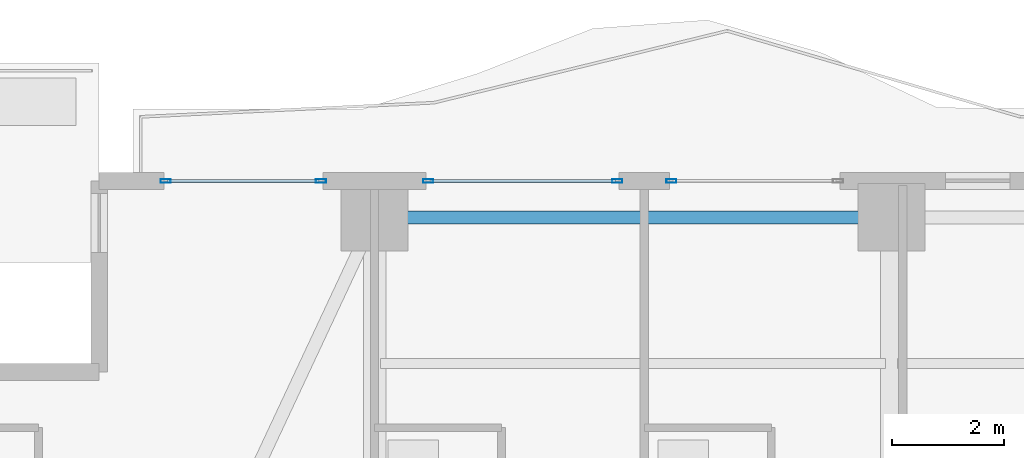
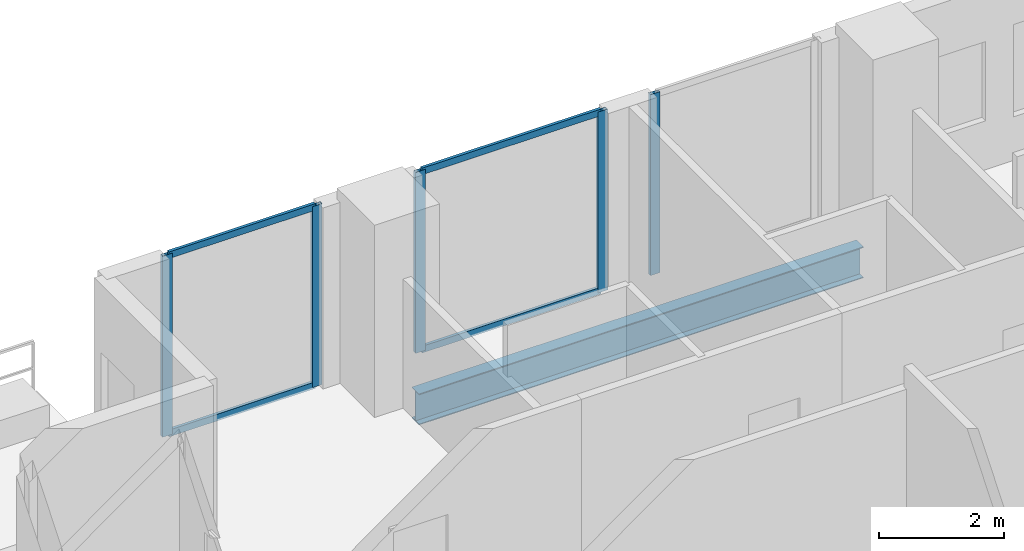
# One storey, part 17 of 32: 9 members, 1 beam, 3 elements without a shape of their own.
"""IFC4 building model written with IfcOpenShell, lengths in metres."""

from ifc_helpers import new_model, si_unit, direction, frame, origin, origin_2d, place, context, subcontext, project, spatial, hollow_rectangle, i_section, extrude, material, layer, layer_set, material_profile, profile_set, type_object, element, aggregate, save


model = new_model("IFC4")

# Units and contexts
model_context = context("Model", 3, precision=1e-05, world=origin(), true_north=direction((0.0, 1.0)))
body_context = subcontext(model_context, "Body", "Model", "MODEL_VIEW")
ifc_project = project(units=[si_unit("LENGTHUNIT", "METRE"), si_unit("AREAUNIT", "SQUARE_METRE"), si_unit("VOLUMEUNIT", "CUBIC_METRE"), si_unit("PLANEANGLEUNIT", "RADIAN"), si_unit("MASSUNIT", "GRAM", prefix="KILO")], contexts=[model_context])

# Site, building, storey
site_placement = place(None, origin())
site = spatial("IfcSite", under=ifc_project, at=site_placement, CompositionType="ELEMENT")
building_placement = place(site_placement, origin())
building = spatial("IfcBuilding", under=site, at=building_placement, Name="Zuhayl Quay Hotel", CompositionType="ELEMENT")
storey_placement = place(building_placement, frame((0.0, 0.0, 226.14990234375)))
storey = spatial("IfcBuildingStorey", under=building, at=storey_placement, Name="L57", CompositionType="ELEMENT", Elevation=226.14990234375)

# Beam
ifc_material_1 = material(Name="Steel ASTM A992 Grade 50", Category="steel")
ifc_material_profile_1 = material_profile(ifc_material_1, i_section(OverallWidth=0.22802734375, OverallDepth=0.60693359375, WebThickness=0.01123046875, FlangeThickness=0.017333984375, at=origin_2d()), Name="W24X76")
ifc_profile_set_1 = profile_set([ifc_material_profile_1], Name="Steel ASTM A992 Grade 50")
beam_type = type_object("IfcBeamType", Name="BM_B3_W24X76", PredefinedType="BEAM", material=ifc_profile_set_1)
beam_placement = place(storey_placement, frame((-5.10009765625, 32.949951171875, -0.5234375), z_axis=(-1.0, 0.0, 0.0), x_axis=(0.0, -1.0, 0.0)))
element("IfcBeam", 1, at=beam_placement, inside=storey, type_object=beam_type, Name="L57 Floor Beam RG_L57_09", PredefinedType="BEAM", context=body_context, shape_type="SweptSolid", body=[
    extrude(i_section(OverallWidth=0.22802734375, OverallDepth=0.60693359375, WebThickness=0.01123046875, FlangeThickness=0.017333984375, at=origin_2d()), origin(), (0.0, 0.0, 1.0), 8.199951171875),
])

# Curtain wall, members
ifc_material_2 = material(Name="Anodised Aluminium 6063-T6", Category="aluminium")
ifc_layer = layer(ifc_material_2, 0.175048828125, Name="Anodised Aluminium 6063-T6", Category="aluminium")
ifc_layer_set = layer_set([ifc_layer], Name="Anodised Aluminium 6063-T6")
curtain_wall_type = type_object("IfcCurtainWallType", Name="CW_SYS_Z3", PredefinedType="USERDEFINED", material=ifc_layer_set)
curtain_wall_1_placement = place(storey_placement, origin())
curtain_wall_1 = element("IfcCurtainWall", 2, at=curtain_wall_1_placement, inside=storey, type_object=curtain_wall_type, Name="L57 Curtain Wall ENV_L57_N_CW1", ObjectType="UNITISED CURTAIN WALL", PredefinedType="USERDEFINED")
ifc_material_3 = material(Name="Black-anodised aluminium 6063-T6", Category="aluminium")
ifc_material_profile_2 = material_profile(ifc_material_3, hollow_rectangle(XDim=0.06494140625, YDim=0.179931640625, WallThickness=0.00341796875, at=origin_2d()), Name="ALU180X65")
ifc_profile_set_2 = profile_set([ifc_material_profile_2], Name="Black-anodised aluminium 6063-T6")
member_type_1 = type_object("IfcMemberType", Name="MB_CW_MUL_180", PredefinedType="MULLION", material=ifc_profile_set_2)
member_1_placement = place(storey_placement, frame((-17.517578125, 33.60009765625, 0.0), z_axis=(0.0, 0.0, 1.0), x_axis=(0.0, 1.0, 0.0)))
member_1 = element("IfcMember", 3, at=member_1_placement, type_object=member_type_1, Name="CW-Z3 mullion 1", PredefinedType="MULLION", context=body_context, shape_type="SweptSolid", body=[
    extrude(hollow_rectangle(XDim=0.06494140625, YDim=0.179931640625, WallThickness=0.00341796875, at=origin_2d()), origin(), (0.0, 0.0, 1.0), 3.530029296875),
])
member_2_placement = place(storey_placement, frame((-14.75244140625, 33.60009765625, 0.0), z_axis=(0.0, 0.0, 1.0), x_axis=(0.0, 1.0, 0.0)))
member_2 = element("IfcMember", 4, at=member_2_placement, type_object=member_type_1, Name="CW-Z3 mullion 2", PredefinedType="MULLION", context=body_context, shape_type="SweptSolid", body=[
    extrude(hollow_rectangle(XDim=0.06494140625, YDim=0.179931640625, WallThickness=0.00341796875, at=origin_2d()), origin(), (0.0, 0.0, 1.0), 3.530029296875),
])

curtain_wall_2_placement = place(storey_placement, origin())
curtain_wall_2 = element("IfcCurtainWall", 5, at=curtain_wall_2_placement, inside=storey, type_object=curtain_wall_type, Name="L57 Curtain Wall ENV_L57_N_CW2", ObjectType="UNITISED CURTAIN WALL", PredefinedType="USERDEFINED")
member_3_placement = place(storey_placement, frame((-12.847412109375, 33.60009765625, 0.0), z_axis=(0.0, 0.0, 1.0), x_axis=(0.0, 1.0, 0.0)))
member_3 = element("IfcMember", 6, at=member_3_placement, type_object=member_type_1, Name="CW-Z3 mullion 1", PredefinedType="MULLION", context=body_context, shape_type="SweptSolid", body=[
    extrude(hollow_rectangle(XDim=0.06494140625, YDim=0.179931640625, WallThickness=0.00341796875, at=origin_2d()), origin(), (0.0, 0.0, 1.0), 3.530029296875),
])
member_4_placement = place(storey_placement, frame((-9.482421875, 33.60009765625, 0.0), z_axis=(0.0, 0.0, 1.0), x_axis=(0.0, 1.0, 0.0)))
member_4 = element("IfcMember", 7, at=member_4_placement, type_object=member_type_1, Name="CW-Z3 mullion 2", PredefinedType="MULLION", context=body_context, shape_type="SweptSolid", body=[
    extrude(hollow_rectangle(XDim=0.06494140625, YDim=0.179931640625, WallThickness=0.00341796875, at=origin_2d()), origin(), (0.0, 0.0, 1.0), 3.530029296875),
])

# Curtain wall, member
curtain_wall_3_placement = place(storey_placement, origin())
curtain_wall_3 = element("IfcCurtainWall", 8, at=curtain_wall_3_placement, inside=storey, type_object=curtain_wall_type, Name="L57 Curtain Wall ENV_L57_N_CW3", ObjectType="UNITISED CURTAIN WALL", PredefinedType="USERDEFINED")
member_5_placement = place(storey_placement, frame((-8.517578125, 33.60009765625, 0.0), z_axis=(0.0, 0.0, 1.0), x_axis=(0.0, 1.0, 0.0)))
member_5 = element("IfcMember", 9, at=member_5_placement, type_object=member_type_1, Name="CW-Z3 mullion 1", PredefinedType="MULLION", context=body_context, shape_type="SweptSolid", body=[
    extrude(hollow_rectangle(XDim=0.06494140625, YDim=0.179931640625, WallThickness=0.00341796875, at=origin_2d()), origin(), (0.0, 0.0, 1.0), 3.530029296875),
])
aggregate(curtain_wall_3, [member_5])

# Member
ifc_material_profile_3 = material_profile(ifc_material_3, hollow_rectangle(XDim=0.054931640625, YDim=0.1298828125, WallThickness=0.0029296875, at=origin_2d()), Name="ALU130X55")
ifc_profile_set_3 = profile_set([ifc_material_profile_3], Name="Black-anodised aluminium 6063-T6")
member_type_2 = type_object("IfcMemberType", Name="MB_CW_TRN_130", PredefinedType="USERDEFINED", material=ifc_profile_set_3)
member_6_placement = place(storey_placement, frame((-17.485107421875, 33.60009765625, 0.027587890625), z_axis=(1.0, 0.0, 0.0), x_axis=(0.0, 1.0, 0.0)))
member_6 = element("IfcMember", 10, at=member_6_placement, type_object=member_type_2, Name="CW-Z3 transom 1.1", ObjectType="TRANSOM", PredefinedType="USERDEFINED", context=body_context, shape_type="SweptSolid", body=[
    extrude(hollow_rectangle(XDim=0.054931640625, YDim=0.1298828125, WallThickness=0.0029296875, at=origin_2d()), origin(), (0.0, 0.0, 1.0), 2.7001953125),
])

member_7_placement = place(storey_placement, frame((-17.485107421875, 33.60009765625, 3.502685546875), z_axis=(1.0, 0.0, 0.0), x_axis=(0.0, 1.0, 0.0)))
member_7 = element("IfcMember", 11, at=member_7_placement, type_object=member_type_2, Name="CW-Z3 transom 1.2", ObjectType="TRANSOM", PredefinedType="USERDEFINED", context=body_context, shape_type="SweptSolid", body=[
    extrude(hollow_rectangle(XDim=0.054931640625, YDim=0.1298828125, WallThickness=0.0029296875, at=origin_2d()), origin(), (0.0, 0.0, 1.0), 2.7001953125),
])

aggregate(curtain_wall_1, [member_1, member_2, member_6, member_7])

member_8_placement = place(storey_placement, frame((-12.81494140625, 33.60009765625, 0.027587890625), z_axis=(1.0, 0.0, 0.0), x_axis=(0.0, 1.0, 0.0)))
member_8 = element("IfcMember", 12, at=member_8_placement, type_object=member_type_2, Name="CW-Z3 transom 1.1", ObjectType="TRANSOM", PredefinedType="USERDEFINED", context=body_context, shape_type="SweptSolid", body=[
    extrude(hollow_rectangle(XDim=0.054931640625, YDim=0.1298828125, WallThickness=0.0029296875, at=origin_2d()), origin(), (0.0, 0.0, 1.0), 3.300048828125),
])

member_9_placement = place(storey_placement, frame((-12.81494140625, 33.60009765625, 3.502685546875), z_axis=(1.0, 0.0, 0.0), x_axis=(0.0, 1.0, 0.0)))
member_9 = element("IfcMember", 13, at=member_9_placement, type_object=member_type_2, Name="CW-Z3 transom 1.2", ObjectType="TRANSOM", PredefinedType="USERDEFINED", context=body_context, shape_type="SweptSolid", body=[
    extrude(hollow_rectangle(XDim=0.054931640625, YDim=0.1298828125, WallThickness=0.0029296875, at=origin_2d()), origin(), (0.0, 0.0, 1.0), 3.300048828125),
])

aggregate(curtain_wall_2, [member_3, member_4, member_8, member_9])

save(model, "model.ifc")
